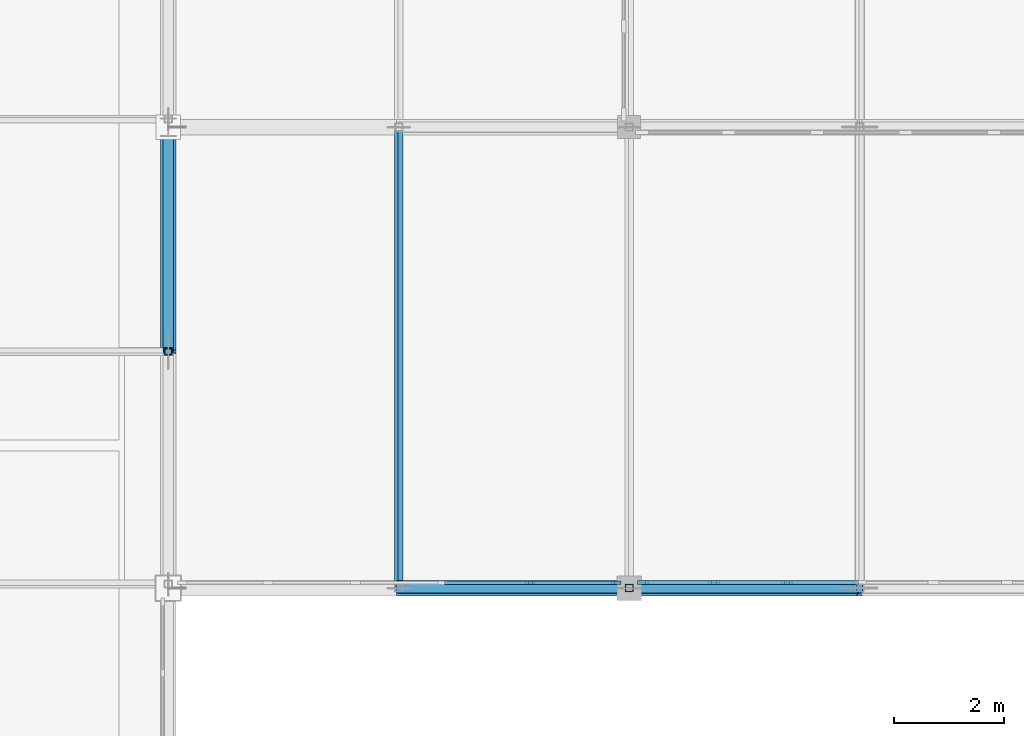
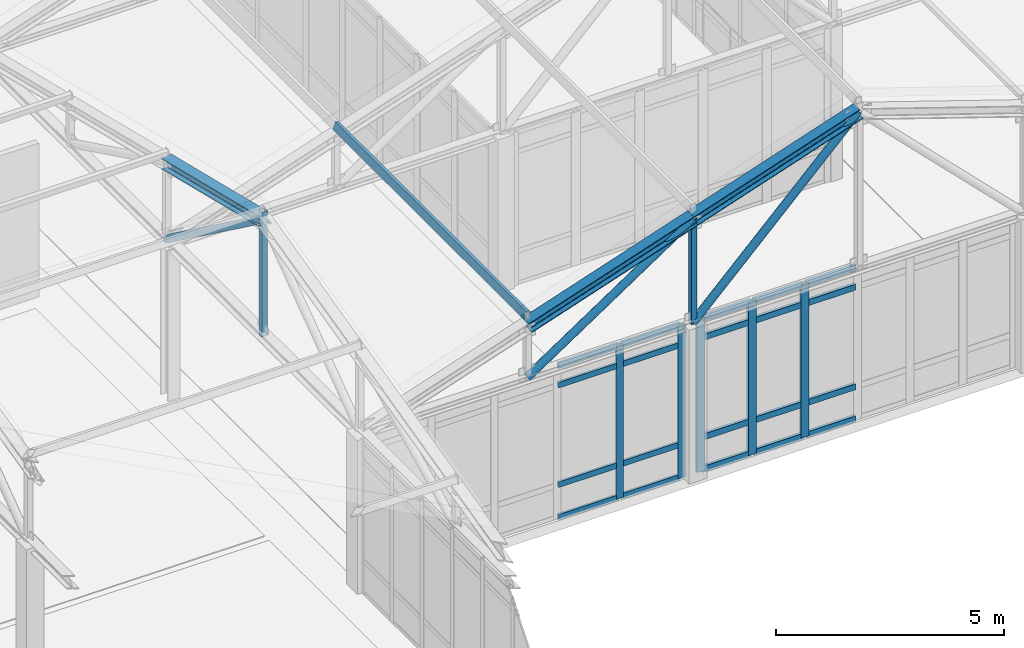
# One storey, part 33 of 192: 34 members, 2 elements without a shape of their own.
"""IFC4 building model written with IfcOpenShell, lengths in metres."""

import ifcopenshell
import ifcopenshell.guid

model = None  # the IFC model being written
_history = None  # IfcOwnerHistory: only IFC2X3 demands one
_inside = {}  # id of a spatial element -> (the spatial element, [elements in it])
_under = {}  # id of a project, library or spatial element -> (it, [spatial elements below it])
_declared = {}  # id of a project -> (the project, [libraries it declares])
_typed = {}  # id of a type object -> (the type object, [elements of that type])
_made_of = {}  # id of a material, layer set ... -> (it, [elements and type objects made of it])


def new_model(schema):
    """Start an empty IFC model of exactly this schema.

    Asked for "IFC4X3", IfcOpenShell would pick the latest addendum, in which some entities
    have other attributes; the version numbers below select the first issue.
    IFC2X3 requires an IfcOwnerHistory on every rooted entity: one is made here for all.
    """
    global model, _history
    if schema == "IFC4X3":
        model = ifcopenshell.file(schema_version=(4, 3, 0, 0))
    else:
        model = ifcopenshell.file(schema=schema)
    _inside.clear()
    _under.clear()
    _declared.clear()
    _typed.clear()
    _made_of.clear()
    _history = None
    if model.schema == "IFC2X3":
        org = make("IfcOrganization", Name="unknown")
        user = make(
            "IfcPersonAndOrganization",
            ThePerson=make("IfcPerson", FamilyName="unknown"),
            TheOrganization=org,
        )
        app = make(
            "IfcApplication",
            ApplicationDeveloper=org,
            Version="unknown",
            ApplicationFullName="unknown",
            ApplicationIdentifier="unknown",
        )
        _history = make(
            "IfcOwnerHistory",
            OwningUser=user,
            OwningApplication=app,
            ChangeAction="ADDED",
            CreationDate=0,
        )
    return model


def make(cls, **values):
    """One entity of the class cls with the attributes given. An attribute that is None is left unset."""
    return model.create_entity(
        cls, **{name: value for name, value in values.items() if value is not None}
    )


def rooted(cls, **values):
    """An entity with a GlobalId (a new one), such as an element, a storey or a relation."""
    return make(cls, GlobalId=ifcopenshell.guid.new(), OwnerHistory=_history, **values)


def si_unit(unit_type, name, prefix=None):
    """IfcSIUnit, for example si_unit("LENGTHUNIT", "METRE", prefix="MILLI")."""
    return make("IfcSIUnit", UnitType=unit_type, Prefix=prefix, Name=name)


def assignment(units):
    """IfcUnitAssignment: the units of a project."""
    return None if units is None else make("IfcUnitAssignment", Units=units)


def point(xyz):
    """IfcCartesianPoint."""
    return None if xyz is None else make("IfcCartesianPoint", Coordinates=xyz)


def direction(xyz):
    """IfcDirection."""
    return None if xyz is None else make("IfcDirection", DirectionRatios=xyz)


def frame(location, z_axis=None, x_axis=None):
    """IfcAxis2Placement3D, a coordinate frame: its origin and axes. An axis left out is left unset."""
    return make(
        "IfcAxis2Placement3D",
        Location=point(location),
        Axis=direction(z_axis),
        RefDirection=direction(x_axis),
    )


def frame_2d(location, x_axis=None):
    """IfcAxis2Placement2D, a coordinate frame in the plane: its origin and x axis."""
    return make(
        "IfcAxis2Placement2D", Location=point(location), RefDirection=direction(x_axis)
    )


def origin():
    """The frame at (0, 0, 0) with its axes left unset."""
    return frame((0.0, 0.0, 0.0))


def origin_2d():
    """The frame at (0, 0) in the plane with its x axis left unset."""
    return frame_2d((0.0, 0.0))


def place(relative_to, where):
    """IfcLocalPlacement: puts the frame where relative to a parent placement (None: the world)."""
    return make(
        "IfcLocalPlacement", PlacementRelTo=relative_to, RelativePlacement=where
    )


def context(
    kind, dimensions, precision=None, world=None, true_north=None, identifier=None
):
    """IfcGeometricRepresentationContext, for example the 3D "Model" context."""
    return make(
        "IfcGeometricRepresentationContext",
        ContextIdentifier=identifier,
        ContextType=kind,
        CoordinateSpaceDimension=dimensions,
        Precision=precision,
        WorldCoordinateSystem=world,
        TrueNorth=true_north,
    )


def subcontext(parent, identifier, kind, view, scale=None):
    """IfcGeometricRepresentationSubContext, for example "Body" below "Model"."""
    return make(
        "IfcGeometricRepresentationSubContext",
        ContextIdentifier=identifier,
        ContextType=kind,
        ParentContext=parent,
        TargetScale=scale,
        TargetView=view,
    )


def project(units=None, contexts=None):
    """IfcProject with its units and contexts."""
    return rooted(
        "IfcProject",
        Name="project",
        RepresentationContexts=contexts,
        UnitsInContext=assignment(units),
    )


def spatial(cls, under=None, at=None, **own):
    """A site, building, storey or space (cls), placed at a placement, below another one or the project."""
    s = rooted(cls, ObjectPlacement=at, **own)
    if under is not None:
        _under.setdefault(under.id(), (under, []))[1].append(s)
    return s


def profile(cls, at=None, kind="AREA", **sizes):
    """A parametric profile (cls). Its sizes go by their IFC names, for example OverallWidth=200.0."""
    return make(cls, ProfileType=kind, Position=at, **sizes)


def rectangle(**sizes):
    """IfcRectangleProfileDef."""
    return profile("IfcRectangleProfileDef", **sizes)


def hollow_rectangle(**sizes):
    """IfcRectangleHollowProfileDef."""
    return profile("IfcRectangleHollowProfileDef", **sizes)


def hollow_circle(**sizes):
    """IfcCircleHollowProfileDef."""
    return profile("IfcCircleHollowProfileDef", **sizes)


def i_section(**sizes):
    """IfcIShapeProfileDef."""
    return profile("IfcIShapeProfileDef", **sizes)


def extrude(swept, where, along, depth):
    """IfcExtrudedAreaSolid: the profile swept, set in the frame where, extruded along a direction by depth."""
    return make(
        "IfcExtrudedAreaSolid",
        SweptArea=swept,
        Position=where,
        ExtrudedDirection=direction(along),
        Depth=depth,
    )


def shape(context_of_items, identifier, shape_type, items):
    """IfcShapeRepresentation: the items that make up one representation, for example the "Body"."""
    return make(
        "IfcShapeRepresentation",
        ContextOfItems=context_of_items,
        RepresentationIdentifier=identifier,
        RepresentationType=shape_type,
        Items=items,
    )


def material(Name=None, Category=None):
    """IfcMaterial."""
    return make("IfcMaterial", Name=Name, Category=Category)


def layer(
    of_material, thickness, ventilated=None, Name=None, Category=None, Priority=None
):
    """IfcMaterialLayer: one layer of a wall or slab, of a material (None: an air gap)."""
    return make(
        "IfcMaterialLayer",
        Material=of_material,
        LayerThickness=thickness,
        IsVentilated=ventilated,
        Name=Name,
        Category=Category,
        Priority=Priority,
    )


def layer_set(layers, Name=None):
    """IfcMaterialLayerSet."""
    return make("IfcMaterialLayerSet", MaterialLayers=layers, LayerSetName=Name)


def material_profile(
    of_material, cross_section, Name=None, Category=None, Priority=None
):
    """IfcMaterialProfile: a cross section and its material."""
    return make(
        "IfcMaterialProfile",
        Name=Name,
        Material=of_material,
        Profile=cross_section,
        Priority=Priority,
        Category=Category,
    )


def profile_set(profiles, Name=None, composite=None):
    """IfcMaterialProfileSet."""
    return make(
        "IfcMaterialProfileSet",
        Name=Name,
        MaterialProfiles=profiles,
        CompositeProfile=composite,
    )


def made_of(thing, what):
    """Note that an element or type object is made of a material, layer set ...; save() writes the relation."""
    if what is not None:
        _made_of.setdefault(what.id(), (what, []))[1].append(thing)
    return thing


def type_object(cls, material=None, **own):
    """A type object (cls), such as IfcWallType, which elements share."""
    return made_of(rooted(cls, **own), material)


def element(
    cls,
    number,
    at=None,
    inside=None,
    cuts=None,
    type_object=None,
    material=None,
    context=None,
    identifier="Body",
    shape_type=None,
    held_by="IfcProductDefinitionShape",
    body=None,
    shapes=None,
    **own,
):
    """One element of the class cls, such as IfcWall. Its Tag is "e" and its number.

    at: its placement. inside: the storey or other place that contains it. cuts: it is an
    opening in that element (IfcRelVoidsElement). A single representation is given by context,
    identifier, shape_type and body (its items); several are given by shapes. held_by: the class
    of the entity that holds the representations. save() writes the other relations.
    """
    e = rooted(cls, Tag="e%d" % number, ObjectPlacement=at, **own)
    if body is not None:
        shapes = [shape(context, identifier, shape_type, body)]
    if shapes is not None:
        e.Representation = make(held_by, Representations=shapes)
    if inside is not None:
        _inside.setdefault(inside.id(), (inside, []))[1].append(e)
    if cuts is not None:
        rooted(
            "IfcRelVoidsElement", RelatingBuildingElement=cuts, RelatedOpeningElement=e
        )
    if type_object is not None:
        _typed.setdefault(type_object.id(), (type_object, []))[1].append(e)
    return made_of(e, material)


def aggregate(whole, parts):
    """IfcRelAggregates: a whole, such as a stair, and the parts it consists of."""
    return rooted("IfcRelAggregates", RelatingObject=whole, RelatedObjects=parts)


def save(model, path):
    """Write the relations noted so far, then the file.

    IfcRelAggregates (storeys below a building ...), IfcRelContainedInSpatialStructure (elements
    in a storey), IfcRelDefinesByType, IfcRelAssociatesMaterial and IfcRelDeclares: one each for
    every whole, place, type object, material and project.
    """
    for whole, parts in _under.values():
        aggregate(whole, parts)
    for where, things in _inside.values():
        rooted(
            "IfcRelContainedInSpatialStructure",
            RelatedElements=things,
            RelatingStructure=where,
        )
    for kind, things in _typed.values():
        rooted("IfcRelDefinesByType", RelatedObjects=things, RelatingType=kind)
    for what, things in _made_of.values():
        rooted("IfcRelAssociatesMaterial", RelatedObjects=things, RelatingMaterial=what)
    for by, libraries in _declared.values():
        rooted("IfcRelDeclares", RelatingContext=by, RelatedDefinitions=libraries)
    model.write(path)


model = new_model("IFC4")

# Units and contexts
model_context = context("Model", 3, precision=1e-05, world=origin(), true_north=direction((0.0, 1.0)))
body_context = subcontext(model_context, "Body", "Model", "MODEL_VIEW")
ifc_project = project(units=[si_unit("LENGTHUNIT", "METRE"), si_unit("AREAUNIT", "SQUARE_METRE"), si_unit("VOLUMEUNIT", "CUBIC_METRE"), si_unit("PLANEANGLEUNIT", "RADIAN"), si_unit("MASSUNIT", "GRAM", prefix="KILO")], contexts=[model_context])

# Site, building, storey
site_placement = place(None, origin())
site = spatial("IfcSite", under=ifc_project, at=site_placement, CompositionType="ELEMENT")
building_placement = place(site_placement, origin())
building = spatial("IfcBuilding", under=site, at=building_placement, Name="Kveldsbrygga Polytechnic", CompositionType="ELEMENT")
storey_placement = place(building_placement, frame((0.0, 0.0, 5.43994140625)))
storey = spatial("IfcBuildingStorey", under=building, at=storey_placement, Name="L01", CompositionType="ELEMENT", Elevation=5.43994140625)

# Curtain wall, members
ifc_material_1 = material(Name="Anodised aluminium AW-6060", Category="aluminium")
ifc_layer_1 = layer(ifc_material_1, 0.199951171875)
ifc_layer_set_1 = layer_set([ifc_layer_1], Name="Anodised aluminium AW-6060")
curtain_wall_type_1 = type_object("IfcCurtainWallType", Name="CW-CONC-B", PredefinedType="USERDEFINED", material=ifc_layer_set_1)
curtain_wall_1_placement = place(storey_placement, origin())
curtain_wall_1 = element("IfcCurtainWall", 1, at=curtain_wall_1_placement, inside=storey, type_object=curtain_wall_type_1, Name="Curtain Wall CW-L01-X-06-01", ObjectType="UNITISED CURTAIN WALL", PredefinedType="USERDEFINED")
ifc_material_profile_1 = material_profile(ifc_material_1, rectangle(XDim=0.06005859375, YDim=0.179931640625, at=origin_2d()), Name="ALU 60x180")
ifc_profile_set_1 = profile_set([ifc_material_profile_1], Name="Anodised aluminium AW-6060")
member_type_1 = type_object("IfcMemberType", Name="CW-MUL-180", PredefinedType="MULLION", material=ifc_profile_set_1)
member_1_placement = place(storey_placement, frame((56.9970703125, 8.5, 0.0), z_axis=(0.0, 0.0, 1.0), x_axis=(0.0, 1.0, 0.0)))
member_1 = element("IfcMember", 2, at=member_1_placement, type_object=member_type_1, Name="CW-02 mullion 5", PredefinedType="MULLION", context=body_context, shape_type="SweptSolid", body=[
    extrude(rectangle(XDim=0.06005859375, YDim=0.179931640625, at=origin_2d()), origin(), (0.0, 0.0, 1.0), 4.1201171875),
])
member_2_placement = place(storey_placement, frame((58.56005859375, 8.5, 0.0), z_axis=(0.0, 0.0, 1.0), x_axis=(0.0, 1.0, 0.0)))
member_2 = element("IfcMember", 3, at=member_2_placement, type_object=member_type_1, Name="CW-02 mullion 6", PredefinedType="MULLION", context=body_context, shape_type="SweptSolid", body=[
    extrude(rectangle(XDim=0.06005859375, YDim=0.179931640625, at=origin_2d()), origin(), (0.0, 0.0, 1.0), 4.1201171875),
])

ifc_layer_2 = layer(ifc_material_1, 0.159912109375)
ifc_layer_set_2 = layer_set([ifc_layer_2], Name="Anodised aluminium AW-6060")
curtain_wall_type_2 = type_object("IfcCurtainWallType", Name="CW-CLER-C", PredefinedType="USERDEFINED", material=ifc_layer_set_2)
curtain_wall_2_placement = place(storey_placement, origin())
curtain_wall_2 = element("IfcCurtainWall", 4, at=curtain_wall_2_placement, inside=storey, type_object=curtain_wall_type_2, Name="Curtain Wall CW-L01-X-07-01", ObjectType="STICK CURTAIN WALL", PredefinedType="USERDEFINED")
ifc_material_profile_2 = material_profile(ifc_material_1, rectangle(XDim=0.074951171875, YDim=0.199951171875, at=origin_2d()), Name="ALU 75x200")
ifc_profile_set_2 = profile_set([ifc_material_profile_2], Name="Anodised aluminium AW-6060")
member_type_2 = type_object("IfcMemberType", Name="CW-MUL-200", PredefinedType="MULLION", material=ifc_profile_set_2)
member_3_placement = place(storey_placement, frame((59.047607421875, 8.5, 0.0), z_axis=(0.0, 0.0, 1.0), x_axis=(0.0, 1.0, 0.0)))
member_3 = element("IfcMember", 5, at=member_3_placement, type_object=member_type_2, Name="CW-03 mullion 1", PredefinedType="MULLION", context=body_context, shape_type="SweptSolid", body=[
    extrude(rectangle(XDim=0.074951171875, YDim=0.199951171875, at=origin_2d()), origin(), (0.0, 0.0, 1.0), 4.1201171875),
])
member_4_placement = place(storey_placement, frame((60.34423828125, 8.5, 0.0), z_axis=(0.0, 0.0, 1.0), x_axis=(0.0, 1.0, 0.0)))
member_4 = element("IfcMember", 6, at=member_4_placement, type_object=member_type_2, Name="CW-03 mullion 2", PredefinedType="MULLION", context=body_context, shape_type="SweptSolid", body=[
    extrude(rectangle(XDim=0.074951171875, YDim=0.199951171875, at=origin_2d()), origin(), (0.0, 0.0, 1.0), 4.1201171875),
])
member_5_placement = place(storey_placement, frame((61.67822265625, 8.5, 0.0), z_axis=(0.0, 0.0, 1.0), x_axis=(0.0, 1.0, 0.0)))
member_5 = element("IfcMember", 7, at=member_5_placement, type_object=member_type_2, Name="CW-03 mullion 3", PredefinedType="MULLION", context=body_context, shape_type="SweptSolid", body=[
    extrude(rectangle(XDim=0.074951171875, YDim=0.199951171875, at=origin_2d()), origin(), (0.0, 0.0, 1.0), 4.1201171875),
])

# Member
ifc_material_profile_3 = material_profile(ifc_material_1, rectangle(XDim=0.06005859375, YDim=0.14990234375, at=origin_2d()), Name="ALU 60x150")
ifc_profile_set_3 = profile_set([ifc_material_profile_3], Name="Anodised aluminium AW-6060")
member_type_3 = type_object("IfcMemberType", Name="CW-TRN-150", PredefinedType="USERDEFINED", material=ifc_profile_set_3)
member_6_placement = place(storey_placement, frame((55.43408203125, 8.5, 0.030029296875), z_axis=(1.0, 0.0, 0.0), x_axis=(0.0, 1.0, 0.0)))
member_6 = element("IfcMember", 8, at=member_6_placement, type_object=member_type_3, Name="CW-02 transom 4.1", ObjectType="TRANSOM", PredefinedType="USERDEFINED", context=body_context, shape_type="SweptSolid", body=[
    extrude(rectangle(XDim=0.06005859375, YDim=0.14990234375, at=origin_2d()), origin(), (0.0, 0.0, 1.0), 1.532958984375),
])

member_7_placement = place(storey_placement, frame((55.43408203125, 8.5, 0.900146484375), z_axis=(1.0, 0.0, 0.0), x_axis=(0.0, 1.0, 0.0)))
member_7 = element("IfcMember", 9, at=member_7_placement, type_object=member_type_3, Name="CW-02 transom 4.2", ObjectType="TRANSOM", PredefinedType="USERDEFINED", context=body_context, shape_type="SweptSolid", body=[
    extrude(rectangle(XDim=0.06005859375, YDim=0.14990234375, at=origin_2d()), origin(), (0.0, 0.0, 1.0), 1.532958984375),
])

member_8_placement = place(storey_placement, frame((55.43408203125, 8.5, 3.570068359375), z_axis=(1.0, 0.0, 0.0), x_axis=(0.0, 1.0, 0.0)))
member_8 = element("IfcMember", 10, at=member_8_placement, type_object=member_type_3, Name="CW-02 transom 4.3", ObjectType="TRANSOM", PredefinedType="USERDEFINED", context=body_context, shape_type="SweptSolid", body=[
    extrude(rectangle(XDim=0.06005859375, YDim=0.14990234375, at=origin_2d()), origin(), (0.0, 0.0, 1.0), 1.532958984375),
])

member_9_placement = place(storey_placement, frame((55.43408203125, 8.5, 4.090087890625), z_axis=(1.0, 0.0, 0.0), x_axis=(0.0, 1.0, 0.0)))
member_9 = element("IfcMember", 11, at=member_9_placement, type_object=member_type_3, Name="CW-02 transom 4.4", ObjectType="TRANSOM", PredefinedType="USERDEFINED", context=body_context, shape_type="SweptSolid", body=[
    extrude(rectangle(XDim=0.06005859375, YDim=0.14990234375, at=origin_2d()), origin(), (0.0, 0.0, 1.0), 1.532958984375),
])

member_10_placement = place(storey_placement, frame((57.027099609375, 8.5, 0.030029296875), z_axis=(1.0, 0.0, 0.0), x_axis=(0.0, 1.0, 0.0)))
member_10 = element("IfcMember", 12, at=member_10_placement, type_object=member_type_3, Name="CW-02 transom 5.1", ObjectType="TRANSOM", PredefinedType="USERDEFINED", context=body_context, shape_type="SweptSolid", body=[
    extrude(rectangle(XDim=0.06005859375, YDim=0.14990234375, at=origin_2d()), origin(), (0.0, 0.0, 1.0), 1.5029296875),
])

member_11_placement = place(storey_placement, frame((57.027099609375, 8.5, 0.900146484375), z_axis=(1.0, 0.0, 0.0), x_axis=(0.0, 1.0, 0.0)))
member_11 = element("IfcMember", 13, at=member_11_placement, type_object=member_type_3, Name="CW-02 transom 5.2", ObjectType="TRANSOM", PredefinedType="USERDEFINED", context=body_context, shape_type="SweptSolid", body=[
    extrude(rectangle(XDim=0.06005859375, YDim=0.14990234375, at=origin_2d()), origin(), (0.0, 0.0, 1.0), 1.5029296875),
])

member_12_placement = place(storey_placement, frame((57.027099609375, 8.5, 3.570068359375), z_axis=(1.0, 0.0, 0.0), x_axis=(0.0, 1.0, 0.0)))
member_12 = element("IfcMember", 14, at=member_12_placement, type_object=member_type_3, Name="CW-02 transom 5.3", ObjectType="TRANSOM", PredefinedType="USERDEFINED", context=body_context, shape_type="SweptSolid", body=[
    extrude(rectangle(XDim=0.06005859375, YDim=0.14990234375, at=origin_2d()), origin(), (0.0, 0.0, 1.0), 1.5029296875),
])

member_13_placement = place(storey_placement, frame((57.027099609375, 8.5, 4.090087890625), z_axis=(1.0, 0.0, 0.0), x_axis=(0.0, 1.0, 0.0)))
member_13 = element("IfcMember", 15, at=member_13_placement, type_object=member_type_3, Name="CW-02 transom 5.4", ObjectType="TRANSOM", PredefinedType="USERDEFINED", context=body_context, shape_type="SweptSolid", body=[
    extrude(rectangle(XDim=0.06005859375, YDim=0.14990234375, at=origin_2d()), origin(), (0.0, 0.0, 1.0), 1.5029296875),
])

aggregate(curtain_wall_1, [member_1, member_2, member_6, member_7, member_8, member_9, member_10, member_11, member_12, member_13])

ifc_material_profile_4 = material_profile(ifc_material_1, rectangle(XDim=0.074951171875, YDim=0.159912109375, at=origin_2d()), Name="ALU 75x160")
ifc_profile_set_4 = profile_set([ifc_material_profile_4], Name="Anodised aluminium AW-6060")
member_type_4 = type_object("IfcMemberType", Name="CW-TRN-160", PredefinedType="USERDEFINED", material=ifc_profile_set_4)
member_14_placement = place(storey_placement, frame((59.0849609375, 8.5, 0.03759765625), z_axis=(1.0, 0.0, 0.0), x_axis=(0.0, 1.0, 0.0)))
member_14 = element("IfcMember", 16, at=member_14_placement, type_object=member_type_4, Name="CW-03 transom 1.1", ObjectType="TRANSOM", PredefinedType="USERDEFINED", context=body_context, shape_type="SweptSolid", body=[
    extrude(rectangle(XDim=0.074951171875, YDim=0.159912109375, at=origin_2d()), origin(), (0.0, 0.0, 1.0), 1.2216796875),
])

member_15_placement = place(storey_placement, frame((59.0849609375, 8.5, 0.900146484375), z_axis=(1.0, 0.0, 0.0), x_axis=(0.0, 1.0, 0.0)))
member_15 = element("IfcMember", 17, at=member_15_placement, type_object=member_type_4, Name="CW-03 transom 1.2", ObjectType="TRANSOM", PredefinedType="USERDEFINED", context=body_context, shape_type="SweptSolid", body=[
    extrude(rectangle(XDim=0.074951171875, YDim=0.159912109375, at=origin_2d()), origin(), (0.0, 0.0, 1.0), 1.2216796875),
])

member_16_placement = place(storey_placement, frame((59.0849609375, 8.5, 3.570068359375), z_axis=(1.0, 0.0, 0.0), x_axis=(0.0, 1.0, 0.0)))
member_16 = element("IfcMember", 18, at=member_16_placement, type_object=member_type_4, Name="CW-03 transom 1.3", ObjectType="TRANSOM", PredefinedType="USERDEFINED", context=body_context, shape_type="SweptSolid", body=[
    extrude(rectangle(XDim=0.074951171875, YDim=0.159912109375, at=origin_2d()), origin(), (0.0, 0.0, 1.0), 1.2216796875),
])

member_17_placement = place(storey_placement, frame((59.0849609375, 8.5, 4.08251953125), z_axis=(1.0, 0.0, 0.0), x_axis=(0.0, 1.0, 0.0)))
member_17 = element("IfcMember", 19, at=member_17_placement, type_object=member_type_4, Name="CW-03 transom 1.4", ObjectType="TRANSOM", PredefinedType="USERDEFINED", context=body_context, shape_type="SweptSolid", body=[
    extrude(rectangle(XDim=0.074951171875, YDim=0.159912109375, at=origin_2d()), origin(), (0.0, 0.0, 1.0), 1.2216796875),
])

member_18_placement = place(storey_placement, frame((60.381591796875, 8.5, 0.03759765625), z_axis=(1.0, 0.0, 0.0), x_axis=(0.0, 1.0, 0.0)))
member_18 = element("IfcMember", 20, at=member_18_placement, type_object=member_type_4, Name="CW-03 transom 2.1", ObjectType="TRANSOM", PredefinedType="USERDEFINED", context=body_context, shape_type="SweptSolid", body=[
    extrude(rectangle(XDim=0.074951171875, YDim=0.159912109375, at=origin_2d()), origin(), (0.0, 0.0, 1.0), 1.25927734375),
])

member_19_placement = place(storey_placement, frame((60.381591796875, 8.5, 0.900146484375), z_axis=(1.0, 0.0, 0.0), x_axis=(0.0, 1.0, 0.0)))
member_19 = element("IfcMember", 21, at=member_19_placement, type_object=member_type_4, Name="CW-03 transom 2.2", ObjectType="TRANSOM", PredefinedType="USERDEFINED", context=body_context, shape_type="SweptSolid", body=[
    extrude(rectangle(XDim=0.074951171875, YDim=0.159912109375, at=origin_2d()), origin(), (0.0, 0.0, 1.0), 1.25927734375),
])

member_20_placement = place(storey_placement, frame((60.381591796875, 8.5, 3.570068359375), z_axis=(1.0, 0.0, 0.0), x_axis=(0.0, 1.0, 0.0)))
member_20 = element("IfcMember", 22, at=member_20_placement, type_object=member_type_4, Name="CW-03 transom 2.3", ObjectType="TRANSOM", PredefinedType="USERDEFINED", context=body_context, shape_type="SweptSolid", body=[
    extrude(rectangle(XDim=0.074951171875, YDim=0.159912109375, at=origin_2d()), origin(), (0.0, 0.0, 1.0), 1.25927734375),
])

member_21_placement = place(storey_placement, frame((60.381591796875, 8.5, 4.08251953125), z_axis=(1.0, 0.0, 0.0), x_axis=(0.0, 1.0, 0.0)))
member_21 = element("IfcMember", 23, at=member_21_placement, type_object=member_type_4, Name="CW-03 transom 2.4", ObjectType="TRANSOM", PredefinedType="USERDEFINED", context=body_context, shape_type="SweptSolid", body=[
    extrude(rectangle(XDim=0.074951171875, YDim=0.159912109375, at=origin_2d()), origin(), (0.0, 0.0, 1.0), 1.25927734375),
])

member_22_placement = place(storey_placement, frame((61.7158203125, 8.5, 0.03759765625), z_axis=(1.0, 0.0, 0.0), x_axis=(0.0, 1.0, 0.0)))
member_22 = element("IfcMember", 24, at=member_22_placement, type_object=member_type_4, Name="CW-03 transom 3.1", ObjectType="TRANSOM", PredefinedType="USERDEFINED", context=body_context, shape_type="SweptSolid", body=[
    extrude(rectangle(XDim=0.074951171875, YDim=0.159912109375, at=origin_2d()), origin(), (0.0, 0.0, 1.0), 1.25927734375),
])

member_23_placement = place(storey_placement, frame((61.7158203125, 8.5, 0.900146484375), z_axis=(1.0, 0.0, 0.0), x_axis=(0.0, 1.0, 0.0)))
member_23 = element("IfcMember", 25, at=member_23_placement, type_object=member_type_4, Name="CW-03 transom 3.2", ObjectType="TRANSOM", PredefinedType="USERDEFINED", context=body_context, shape_type="SweptSolid", body=[
    extrude(rectangle(XDim=0.074951171875, YDim=0.159912109375, at=origin_2d()), origin(), (0.0, 0.0, 1.0), 1.25927734375),
])

member_24_placement = place(storey_placement, frame((61.7158203125, 8.5, 3.570068359375), z_axis=(1.0, 0.0, 0.0), x_axis=(0.0, 1.0, 0.0)))
member_24 = element("IfcMember", 26, at=member_24_placement, type_object=member_type_4, Name="CW-03 transom 3.3", ObjectType="TRANSOM", PredefinedType="USERDEFINED", context=body_context, shape_type="SweptSolid", body=[
    extrude(rectangle(XDim=0.074951171875, YDim=0.159912109375, at=origin_2d()), origin(), (0.0, 0.0, 1.0), 1.25927734375),
])

member_25_placement = place(storey_placement, frame((61.7158203125, 8.5, 4.08251953125), z_axis=(1.0, 0.0, 0.0), x_axis=(0.0, 1.0, 0.0)))
member_25 = element("IfcMember", 27, at=member_25_placement, type_object=member_type_4, Name="CW-03 transom 3.4", ObjectType="TRANSOM", PredefinedType="USERDEFINED", context=body_context, shape_type="SweptSolid", body=[
    extrude(rectangle(XDim=0.074951171875, YDim=0.159912109375, at=origin_2d()), origin(), (0.0, 0.0, 1.0), 1.25927734375),
])

aggregate(curtain_wall_2, [member_3, member_4, member_5, member_14, member_15, member_16, member_17, member_18, member_19, member_20, member_21, member_22, member_23, member_24, member_25])

# Members
ifc_material_2 = material(Name="Steel S355", Category="steel")
ifc_material_profile_5 = material_profile(ifc_material_2, hollow_rectangle(XDim=0.10009765625, YDim=0.199951171875, WallThickness=0.010009765625, at=origin_2d()), Name="RHS 200x100x10.0")
ifc_profile_set_5 = profile_set([ifc_material_profile_5], Name="Steel S355")
member_type_5 = type_object("IfcMemberType", Name="PRL-RHS200", PredefinedType="PURLIN", material=ifc_profile_set_5)
member_26_placement = place(storey_placement, frame((54.60009765625, 8.39990234375, 5.77294921875), z_axis=(0.0, 1.0, 0.0), x_axis=(-0.948683567514, 0.0, 0.316226957624)))
element("IfcMember", 28, at=member_26_placement, inside=storey, type_object=member_type_5, Name="Roof Purlin V5C-PRL-1-1", PredefinedType="PURLIN", context=body_context, shape_type="SweptSolid", body=[
    extrude(hollow_rectangle(XDim=0.10009765625, YDim=0.199951171875, WallThickness=0.010009765625, at=origin_2d()), origin(), (0.0, 0.0, 1.0), 8.400146484375),
])
ifc_material_profile_6 = material_profile(ifc_material_2, hollow_circle(Radius=0.096923828125, WallThickness=0.010009765625, at=origin_2d()), Name="CHS 193.7x10.0")
ifc_profile_set_6 = profile_set([ifc_material_profile_6], Name="Steel S355")
member_type_6 = type_object("IfcMemberType", Name="TR-DIAG-CHS194", PredefinedType="BRACE", material=ifc_profile_set_6)
member_27_placement = place(storey_placement, frame((50.39990234375, 12.7099609375, 7.219970703125), z_axis=(0.0, 0.807053568691, -0.590478227594), x_axis=(-1.0, 0.0, 0.0)))
element("IfcMember", 29, at=member_27_placement, inside=storey, type_object=member_type_6, Name="Truss Diagonal V5S-T07-DG-4", PredefinedType="BRACE", context=body_context, shape_type="SweptSolid", body=[
    extrude(hollow_circle(Radius=0.096923828125, WallThickness=0.010009765625, at=origin_2d()), origin(), (0.0, 0.0, 1.0), 5.249755859375),
])
member_28_placement = place(storey_placement, frame((54.60009765625, 8.39990234375, 4.1201171875), z_axis=(0.832042853317, 0.0, 0.554711357594), x_axis=(0.0, 1.0, 0.0)))
element("IfcMember", 30, at=member_28_placement, inside=storey, type_object=member_type_6, Name="Truss Diagonal V5C-T01-DG-2", PredefinedType="BRACE", context=body_context, shape_type="SweptSolid", body=[
    extrude(hollow_circle(Radius=0.096923828125, WallThickness=0.010009765625, at=origin_2d()), origin(), (0.0, 0.0, 1.0), 5.0478515625),
])
member_29_placement = place(storey_placement, frame((58.800048828125, 8.39990234375, 4.1201171875), z_axis=(0.707106781187, 0.0, 0.707106781187), x_axis=(0.0, 1.0, 0.0)))
element("IfcMember", 31, at=member_29_placement, inside=storey, type_object=member_type_6, Name="Truss Diagonal V5C-T01-DG-3", PredefinedType="BRACE", context=body_context, shape_type="SweptSolid", body=[
    extrude(hollow_circle(Radius=0.096923828125, WallThickness=0.010009765625, at=origin_2d()), origin(), (0.0, 0.0, 1.0), 5.939697265625),
])
ifc_material_profile_7 = material_profile(ifc_material_2, hollow_rectangle(XDim=0.139892578125, YDim=0.139892578125, WallThickness=0.008056640625, at=origin_2d()), Name="SHS 140x140x8.0")
ifc_profile_set_7 = profile_set([ifc_material_profile_7], Name="Steel S355")
member_type_7 = type_object("IfcMemberType", Name="TR-POST-SHS140", PredefinedType="STRUT", material=ifc_profile_set_7)
member_30_placement = place(storey_placement, frame((50.39990234375, 12.7099609375, 4.1201171875), z_axis=(0.0, 0.0, 1.0), x_axis=(1.0, 0.0, 0.0)))
element("IfcMember", 32, at=member_30_placement, inside=storey, type_object=member_type_7, Name="Truss Vertical V5S-T07-VT-3", PredefinedType="STRUT", context=body_context, shape_type="SweptSolid", body=[
    extrude(hollow_rectangle(XDim=0.139892578125, YDim=0.139892578125, WallThickness=0.008056640625, at=origin_2d()), origin(), (0.0, 0.0, 1.0), 3.336669921875),
])
member_31_placement = place(storey_placement, frame((58.800048828125, 8.39990234375, 4.1201171875), z_axis=(0.0, 0.0, 1.0), x_axis=(1.0, 0.0, 0.0)))
element("IfcMember", 33, at=member_31_placement, inside=storey, type_object=member_type_7, Name="Truss Vertical V5C-T01-VT-2", PredefinedType="STRUT", context=body_context, shape_type="SweptSolid", body=[
    extrude(hollow_rectangle(XDim=0.139892578125, YDim=0.139892578125, WallThickness=0.008056640625, at=origin_2d()), origin(), (0.0, 0.0, 1.0), 2.800048828125),
])
ifc_material_profile_8 = material_profile(ifc_material_2, i_section(OverallWidth=0.280029296875, OverallDepth=0.280029296875, WebThickness=0.010498046875, FlangeThickness=0.01806640625, FilletRadius=0.02392578125, at=origin_2d()), Name="HEB 280")
ifc_profile_set_8 = profile_set([ifc_material_profile_8], Name="Steel S355")
member_type_8 = type_object("IfcMemberType", Name="TR-TOP-HEB280", PredefinedType="CHORD", material=ifc_profile_set_8)
member_32_placement = place(storey_placement, frame((50.39990234375, 12.7099609375, 7.219970703125), z_axis=(0.0, 0.971529139484, -0.236920094405), x_axis=(-1.0, 0.0, 0.0)))
element("IfcMember", 34, at=member_32_placement, inside=storey, type_object=member_type_8, Name="Truss Top Chord V5S-T07-TC-4", PredefinedType="CHORD", context=body_context, shape_type="SweptSolid", body=[
    extrude(i_section(OverallWidth=0.280029296875, OverallDepth=0.280029296875, WebThickness=0.010498046875, FlangeThickness=0.01806640625, FilletRadius=0.02392578125, at=origin_2d()), origin(), (0.0, 0.0, 1.0), 4.361083984375),
])
member_33_placement = place(storey_placement, frame((54.60009765625, 8.39990234375, 5.52001953125), z_axis=(0.948672268324, 0.0, 0.316260853272), x_axis=(0.0, 1.0, 0.0)))
element("IfcMember", 35, at=member_33_placement, inside=storey, type_object=member_type_8, Name="Truss Top Chord V5C-T01-TC-2", PredefinedType="CHORD", context=body_context, shape_type="SweptSolid", body=[
    extrude(i_section(OverallWidth=0.280029296875, OverallDepth=0.280029296875, WebThickness=0.010498046875, FlangeThickness=0.01806640625, FilletRadius=0.02392578125, at=origin_2d()), origin(), (0.0, 0.0, 1.0), 4.42724609375),
])
member_34_placement = place(storey_placement, frame((58.800048828125, 8.39990234375, 6.920166015625), z_axis=(0.948688812577, 0.0, 0.316211221956), x_axis=(0.0, 1.0, 0.0)))
element("IfcMember", 36, at=member_34_placement, inside=storey, type_object=member_type_8, Name="Truss Top Chord V5C-T01-TC-3", PredefinedType="CHORD", context=body_context, shape_type="SweptSolid", body=[
    extrude(i_section(OverallWidth=0.280029296875, OverallDepth=0.280029296875, WebThickness=0.010498046875, FlangeThickness=0.01806640625, FilletRadius=0.02392578125, at=origin_2d()), origin(), (0.0, 0.0, 1.0), 4.427001953125),
])

save(model, "model.ifc")
